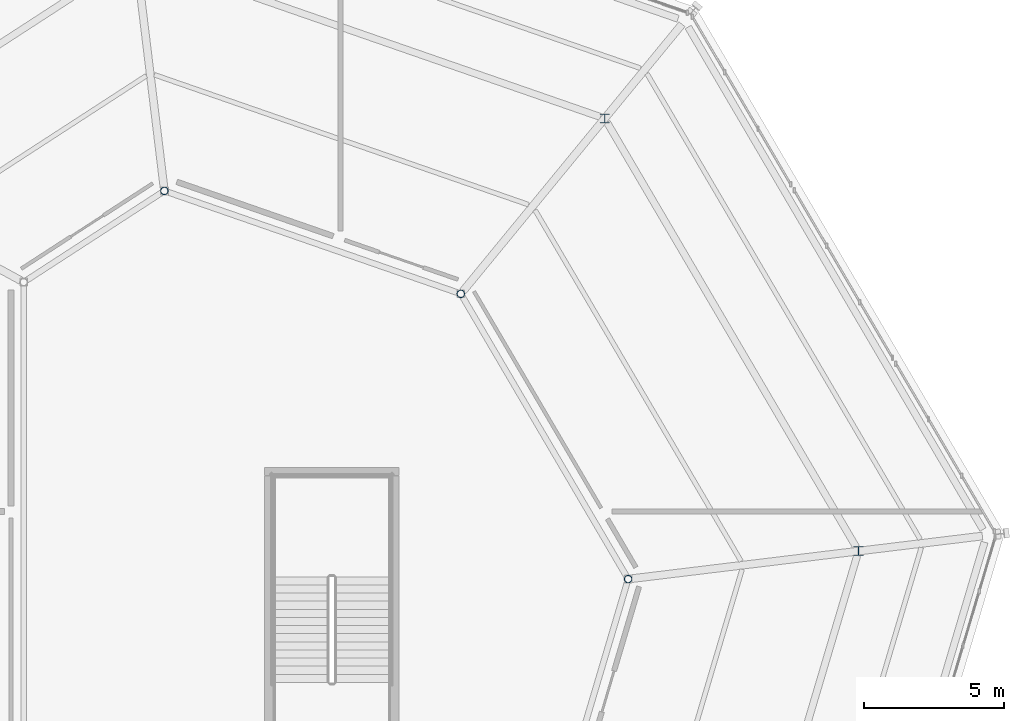
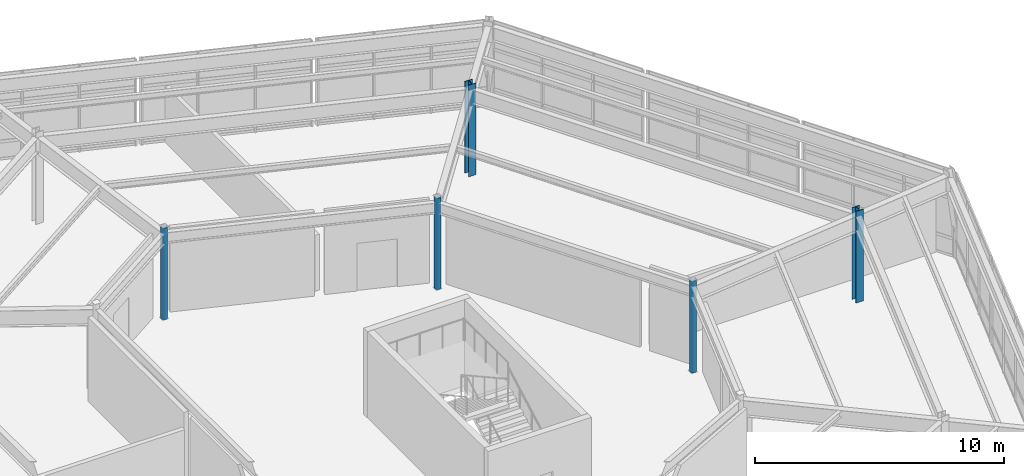
# One storey, part 16 of 69: 5 columns.
"""IFC4 building model written with IfcOpenShell, lengths in metres."""

from ifc_helpers import new_model, si_unit, direction, frame, origin, origin_2d, place, context, subcontext, project, spatial, hollow_circle, i_section, extrude, material, material_profile, profile_set, type_object, element, save


model = new_model("IFC4")

# Units and contexts
model_context = context("Model", 3, precision=1e-05, world=origin(), true_north=direction((0.0, 1.0)))
body_context = subcontext(model_context, "Body", "Model", "MODEL_VIEW")
ifc_project = project(units=[si_unit("LENGTHUNIT", "METRE"), si_unit("AREAUNIT", "SQUARE_METRE"), si_unit("VOLUMEUNIT", "CUBIC_METRE"), si_unit("PLANEANGLEUNIT", "RADIAN"), si_unit("MASSUNIT", "GRAM", prefix="KILO")], contexts=[model_context])

# Site, building, storey
site_placement = place(None, origin())
site = spatial("IfcSite", under=ifc_project, at=site_placement, CompositionType="ELEMENT")
building_placement = place(site_placement, origin())
building = spatial("IfcBuilding", under=site, at=building_placement, Name="Sarnbrook Museum", CompositionType="ELEMENT")
storey_placement = place(building_placement, frame((0.0, 0.0, 14.60009765625)))
storey = spatial("IfcBuildingStorey", under=building, at=storey_placement, Name="L03", CompositionType="ELEMENT", Elevation=14.60009765625)

# Columns
ifc_material_1 = material(Name="Structural Steel Hollow Section Grade C350L0 (AS/NZS 1163, fy = 350 MPa)", Category="steel")
ifc_material_profile_1 = material_profile(ifc_material_1, hollow_circle(Radius=0.136474609375, WallThickness=0.00927734375, at=origin_2d()), Name="273.1x9.3CHS")
ifc_profile_set_1 = profile_set([ifc_material_profile_1], Name="Structural Steel Hollow Section Grade C350L0 (AS/NZS 1163, fy = 350 MPa)")
column_type_1 = type_object("IfcColumnType", Name="COL-CHS273", PredefinedType="COLUMN", material=ifc_profile_set_1)
for number, where, z_axis, x_axis, name in (
    (1, (154.382080078125, 86.210205078125, 0.0), (0.0, 0.0, 1.0), (1.0, 0.0, 0.0), "Crystal Gallery Feature Column R2-4 L03"),
    (2, (148.40576171875, 96.39599609375, 0.0), (0.0, 0.0, 1.0), (1.0, 0.0, 0.0), "Crystal Gallery Feature Column R2-5 L03"),
    (3, (137.822509765625, 100.07080078125, 0.0), (0.0, 0.0, 1.0), (1.0, 0.0, 0.0), "Crystal Gallery Feature Column R2-6 L03"),
):
    element("IfcColumn", number, at=place(storey_placement, frame(where, z_axis=z_axis, x_axis=x_axis)), inside=storey, type_object=column_type_1, Name=name, PredefinedType="COLUMN", context=body_context, shape_type="SweptSolid", body=[
        extrude(hollow_circle(Radius=0.136474609375, WallThickness=0.00927734375, at=origin_2d()), origin(), (0.0, 0.0, 1.0), 4.5),
    ])
ifc_material_2 = material(Name="Structural Steel Grade 350L0 (AS/NZS 3678, fy = 340 MPa for 20 < t <= 40 mm)", Category="steel")
ifc_material_profile_2 = material_profile(ifc_material_2, i_section(OverallWidth=0.35009765625, OverallDepth=0.3310546875, WebThickness=0.02001953125, FlangeThickness=0.028076171875, at=origin_2d()), Name="350WC197")
ifc_profile_set_2 = profile_set([ifc_material_profile_2], Name="Structural Steel Grade 350L0 (AS/NZS 3678, fy = 340 MPa for 20 < t <= 40 mm)")
column_type_2 = type_object("IfcColumnType", Name="COL-WC350", PredefinedType="COLUMN", material=ifc_profile_set_2)
for number, where, z_axis, x_axis, name in (
    (4, (162.606689453125, 87.21044921875, 0.0), (0.0, 0.0, 1.0), (1.0, 0.0, 0.0), "Crystal Hall Ring Column R1-4 L03"),
    (5, (153.543701171875, 102.656982421875, 0.0), (0.0, 0.0, 1.0), (1.0, 0.0, 0.0), "Crystal Hall Ring Column R1-5 L03"),
):
    element("IfcColumn", number, at=place(storey_placement, frame(where, z_axis=z_axis, x_axis=x_axis)), inside=storey, type_object=column_type_2, Name=name, PredefinedType="COLUMN", context=body_context, shape_type="SweptSolid", body=[
        extrude(i_section(OverallWidth=0.35009765625, OverallDepth=0.3310546875, WebThickness=0.02001953125, FlangeThickness=0.028076171875, at=origin_2d()), origin(), (0.0, 0.0, 1.0), 4.5),
    ])

save(model, "model.ifc")
